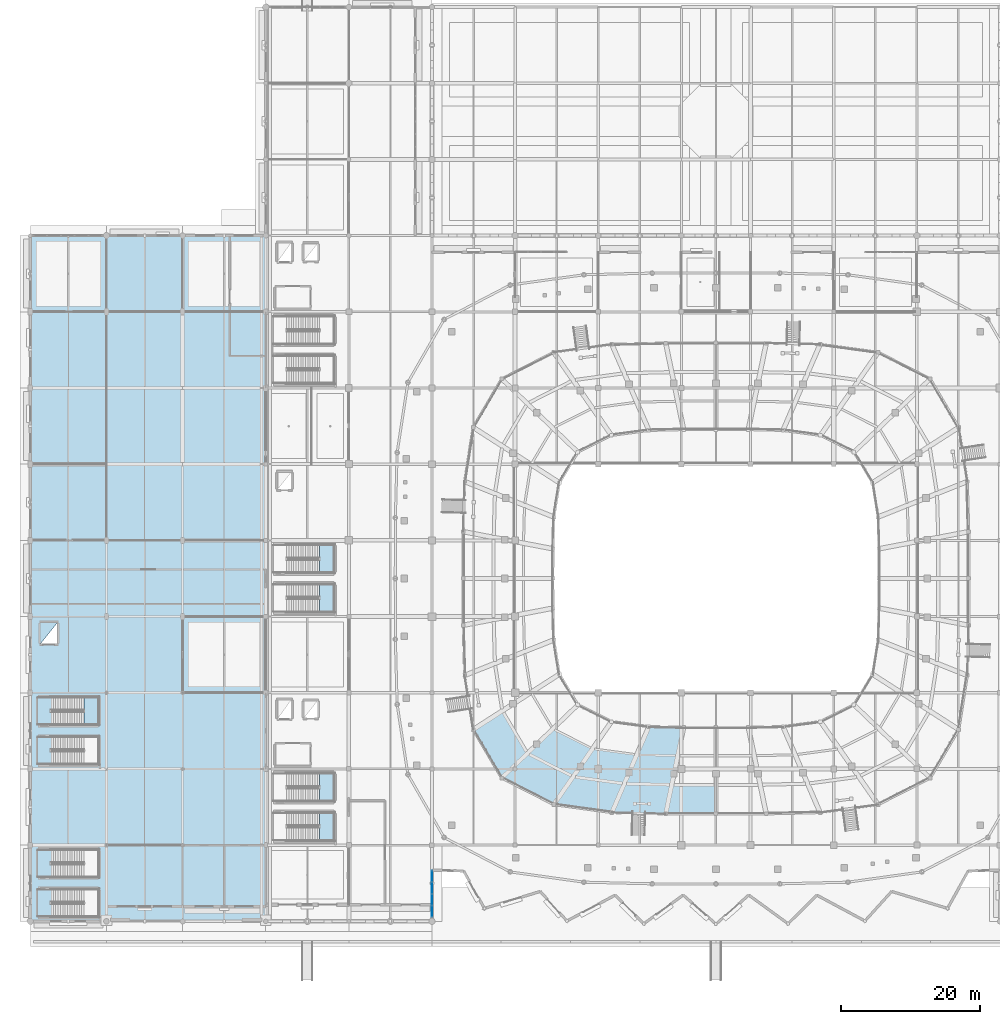
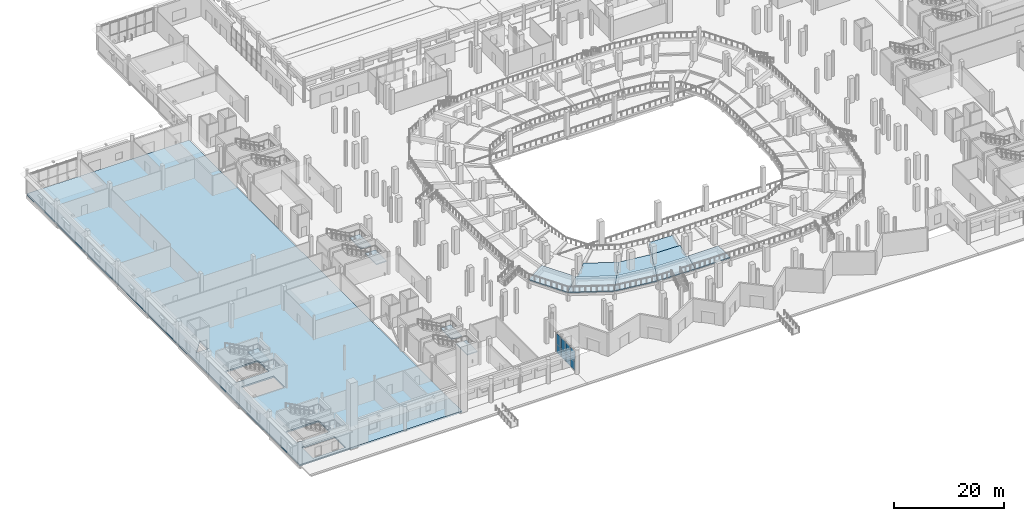
# One storey, part 43 of 120: 15 slabs, 8 plates, 6 elements without a shape of their own.
"""IFC4 building model written with IfcOpenShell, lengths in metres."""

import ifcopenshell
import ifcopenshell.guid

model = None  # the IFC model being written
_history = None  # IfcOwnerHistory: only IFC2X3 demands one
_inside = {}  # id of a spatial element -> (the spatial element, [elements in it])
_under = {}  # id of a project, library or spatial element -> (it, [spatial elements below it])
_declared = {}  # id of a project -> (the project, [libraries it declares])
_typed = {}  # id of a type object -> (the type object, [elements of that type])
_made_of = {}  # id of a material, layer set ... -> (it, [elements and type objects made of it])


def new_model(schema):
    """Start an empty IFC model of exactly this schema.

    Asked for "IFC4X3", IfcOpenShell would pick the latest addendum, in which some entities
    have other attributes; the version numbers below select the first issue.
    IFC2X3 requires an IfcOwnerHistory on every rooted entity: one is made here for all.
    """
    global model, _history
    if schema == "IFC4X3":
        model = ifcopenshell.file(schema_version=(4, 3, 0, 0))
    else:
        model = ifcopenshell.file(schema=schema)
    _inside.clear()
    _under.clear()
    _declared.clear()
    _typed.clear()
    _made_of.clear()
    _history = None
    if model.schema == "IFC2X3":
        org = make("IfcOrganization", Name="unknown")
        user = make(
            "IfcPersonAndOrganization",
            ThePerson=make("IfcPerson", FamilyName="unknown"),
            TheOrganization=org,
        )
        app = make(
            "IfcApplication",
            ApplicationDeveloper=org,
            Version="unknown",
            ApplicationFullName="unknown",
            ApplicationIdentifier="unknown",
        )
        _history = make(
            "IfcOwnerHistory",
            OwningUser=user,
            OwningApplication=app,
            ChangeAction="ADDED",
            CreationDate=0,
        )
    return model


def make(cls, **values):
    """One entity of the class cls with the attributes given. An attribute that is None is left unset."""
    return model.create_entity(
        cls, **{name: value for name, value in values.items() if value is not None}
    )


def rooted(cls, **values):
    """An entity with a GlobalId (a new one), such as an element, a storey or a relation."""
    return make(cls, GlobalId=ifcopenshell.guid.new(), OwnerHistory=_history, **values)


def si_unit(unit_type, name, prefix=None):
    """IfcSIUnit, for example si_unit("LENGTHUNIT", "METRE", prefix="MILLI")."""
    return make("IfcSIUnit", UnitType=unit_type, Prefix=prefix, Name=name)


def assignment(units):
    """IfcUnitAssignment: the units of a project."""
    return None if units is None else make("IfcUnitAssignment", Units=units)


def point(xyz):
    """IfcCartesianPoint."""
    return None if xyz is None else make("IfcCartesianPoint", Coordinates=xyz)


def direction(xyz):
    """IfcDirection."""
    return None if xyz is None else make("IfcDirection", DirectionRatios=xyz)


def frame(location, z_axis=None, x_axis=None):
    """IfcAxis2Placement3D, a coordinate frame: its origin and axes. An axis left out is left unset."""
    return make(
        "IfcAxis2Placement3D",
        Location=point(location),
        Axis=direction(z_axis),
        RefDirection=direction(x_axis),
    )


def frame_2d(location, x_axis=None):
    """IfcAxis2Placement2D, a coordinate frame in the plane: its origin and x axis."""
    return make(
        "IfcAxis2Placement2D", Location=point(location), RefDirection=direction(x_axis)
    )


def origin():
    """The frame at (0, 0, 0) with its axes left unset."""
    return frame((0.0, 0.0, 0.0))


def origin_2d():
    """The frame at (0, 0) in the plane with its x axis left unset."""
    return frame_2d((0.0, 0.0))


def place(relative_to, where):
    """IfcLocalPlacement: puts the frame where relative to a parent placement (None: the world)."""
    return make(
        "IfcLocalPlacement", PlacementRelTo=relative_to, RelativePlacement=where
    )


def context(
    kind, dimensions, precision=None, world=None, true_north=None, identifier=None
):
    """IfcGeometricRepresentationContext, for example the 3D "Model" context."""
    return make(
        "IfcGeometricRepresentationContext",
        ContextIdentifier=identifier,
        ContextType=kind,
        CoordinateSpaceDimension=dimensions,
        Precision=precision,
        WorldCoordinateSystem=world,
        TrueNorth=true_north,
    )


def subcontext(parent, identifier, kind, view, scale=None):
    """IfcGeometricRepresentationSubContext, for example "Body" below "Model"."""
    return make(
        "IfcGeometricRepresentationSubContext",
        ContextIdentifier=identifier,
        ContextType=kind,
        ParentContext=parent,
        TargetScale=scale,
        TargetView=view,
    )


def project(units=None, contexts=None):
    """IfcProject with its units and contexts."""
    return rooted(
        "IfcProject",
        Name="project",
        RepresentationContexts=contexts,
        UnitsInContext=assignment(units),
    )


def spatial(cls, under=None, at=None, **own):
    """A site, building, storey or space (cls), placed at a placement, below another one or the project."""
    s = rooted(cls, ObjectPlacement=at, **own)
    if under is not None:
        _under.setdefault(under.id(), (under, []))[1].append(s)
    return s


def polyline(points):
    """IfcPolyline through the points."""
    return make("IfcPolyline", Points=[point(p) for p in points])


def profile(cls, at=None, kind="AREA", **sizes):
    """A parametric profile (cls). Its sizes go by their IFC names, for example OverallWidth=200.0."""
    return make(cls, ProfileType=kind, Position=at, **sizes)


def rectangle(**sizes):
    """IfcRectangleProfileDef."""
    return profile("IfcRectangleProfileDef", **sizes)


def outline(outer, holes=None, kind="AREA"):
    """IfcArbitraryClosedProfileDef: a profile drawn as a closed curve; with holes, ...WithVoids."""
    if holes is None:
        return make("IfcArbitraryClosedProfileDef", ProfileType=kind, OuterCurve=outer)
    return make(
        "IfcArbitraryProfileDefWithVoids",
        ProfileType=kind,
        OuterCurve=outer,
        InnerCurves=holes,
    )


def extrude(swept, where, along, depth):
    """IfcExtrudedAreaSolid: the profile swept, set in the frame where, extruded along a direction by depth."""
    return make(
        "IfcExtrudedAreaSolid",
        SweptArea=swept,
        Position=where,
        ExtrudedDirection=direction(along),
        Depth=depth,
    )


def shape(context_of_items, identifier, shape_type, items):
    """IfcShapeRepresentation: the items that make up one representation, for example the "Body"."""
    return make(
        "IfcShapeRepresentation",
        ContextOfItems=context_of_items,
        RepresentationIdentifier=identifier,
        RepresentationType=shape_type,
        Items=items,
    )


def material(Name=None, Category=None):
    """IfcMaterial."""
    return make("IfcMaterial", Name=Name, Category=Category)


def layer(
    of_material, thickness, ventilated=None, Name=None, Category=None, Priority=None
):
    """IfcMaterialLayer: one layer of a wall or slab, of a material (None: an air gap)."""
    return make(
        "IfcMaterialLayer",
        Material=of_material,
        LayerThickness=thickness,
        IsVentilated=ventilated,
        Name=Name,
        Category=Category,
        Priority=Priority,
    )


def layer_set(layers, Name=None):
    """IfcMaterialLayerSet."""
    return make("IfcMaterialLayerSet", MaterialLayers=layers, LayerSetName=Name)


def made_of(thing, what):
    """Note that an element or type object is made of a material, layer set ...; save() writes the relation."""
    if what is not None:
        _made_of.setdefault(what.id(), (what, []))[1].append(thing)
    return thing


def type_object(cls, material=None, **own):
    """A type object (cls), such as IfcWallType, which elements share."""
    return made_of(rooted(cls, **own), material)


def element(
    cls,
    number,
    at=None,
    inside=None,
    cuts=None,
    type_object=None,
    material=None,
    context=None,
    identifier="Body",
    shape_type=None,
    held_by="IfcProductDefinitionShape",
    body=None,
    shapes=None,
    **own,
):
    """One element of the class cls, such as IfcWall. Its Tag is "e" and its number.

    at: its placement. inside: the storey or other place that contains it. cuts: it is an
    opening in that element (IfcRelVoidsElement). A single representation is given by context,
    identifier, shape_type and body (its items); several are given by shapes. held_by: the class
    of the entity that holds the representations. save() writes the other relations.
    """
    e = rooted(cls, Tag="e%d" % number, ObjectPlacement=at, **own)
    if body is not None:
        shapes = [shape(context, identifier, shape_type, body)]
    if shapes is not None:
        e.Representation = make(held_by, Representations=shapes)
    if inside is not None:
        _inside.setdefault(inside.id(), (inside, []))[1].append(e)
    if cuts is not None:
        rooted(
            "IfcRelVoidsElement", RelatingBuildingElement=cuts, RelatedOpeningElement=e
        )
    if type_object is not None:
        _typed.setdefault(type_object.id(), (type_object, []))[1].append(e)
    return made_of(e, material)


def aggregate(whole, parts):
    """IfcRelAggregates: a whole, such as a stair, and the parts it consists of."""
    return rooted("IfcRelAggregates", RelatingObject=whole, RelatedObjects=parts)


def save(model, path):
    """Write the relations noted so far, then the file.

    IfcRelAggregates (storeys below a building ...), IfcRelContainedInSpatialStructure (elements
    in a storey), IfcRelDefinesByType, IfcRelAssociatesMaterial and IfcRelDeclares: one each for
    every whole, place, type object, material and project.
    """
    for whole, parts in _under.values():
        aggregate(whole, parts)
    for where, things in _inside.values():
        rooted(
            "IfcRelContainedInSpatialStructure",
            RelatedElements=things,
            RelatingStructure=where,
        )
    for kind, things in _typed.values():
        rooted("IfcRelDefinesByType", RelatedObjects=things, RelatingType=kind)
    for what, things in _made_of.values():
        rooted("IfcRelAssociatesMaterial", RelatedObjects=things, RelatingMaterial=what)
    for by, libraries in _declared.values():
        rooted("IfcRelDeclares", RelatingContext=by, RelatedDefinitions=libraries)
    model.write(path)


model = new_model("IFC4")

# Units and contexts
model_context = context("Model", 3, precision=1e-05, world=origin(), true_north=direction((0.0, 1.0)))
body_context = subcontext(model_context, "Body", "Model", "MODEL_VIEW")
ifc_project = project(units=[si_unit("LENGTHUNIT", "METRE"), si_unit("AREAUNIT", "SQUARE_METRE"), si_unit("VOLUMEUNIT", "CUBIC_METRE"), si_unit("PLANEANGLEUNIT", "RADIAN"), si_unit("MASSUNIT", "GRAM", prefix="KILO")], contexts=[model_context])

# Site, building, storey
site_placement = place(None, origin())
site = spatial("IfcSite", under=ifc_project, at=site_placement, CompositionType="ELEMENT")
building_placement = place(site_placement, origin())
building = spatial("IfcBuilding", under=site, at=building_placement, Name="Luwafu Chhajja Arena", CompositionType="ELEMENT")
storey_placement = place(building_placement, origin())
storey = spatial("IfcBuildingStorey", under=building, at=storey_placement, Name="L00", CompositionType="ELEMENT", Elevation=0.0)

# Stair, slab
ifc_material_1 = material(Name="Concrete C35/45", Category="concrete")
stair_type_1 = type_object("IfcStairType", Name="Quadrant Protected Dog-Leg Stair 1920", PredefinedType="HALF_TURN_STAIR", material=ifc_material_1)
stair_1_placement = place(storey_placement, origin())
stair_1 = element("IfcStair", 1, at=stair_1_placement, inside=storey, type_object=stair_type_1, Name="L00 Protected Escape Stair ST-01", PredefinedType="HALF_TURN_STAIR")
ifc_layer_1 = layer(ifc_material_1, 0.199951171875, Name="Concrete C35/45")
ifc_layer_set_1 = layer_set([ifc_layer_1], Name="Concrete C35/45")
slab_type_1 = type_object("IfcSlabType", Name="Escape Stair Landing Slab 200", PredefinedType="LANDING", material=ifc_layer_set_1)
slab_1_placement = place(storey_placement, frame((0.0, 0.0, 2.5)))
slab_1 = element("IfcSlab", 2, at=slab_1_placement, type_object=slab_type_1, Name="ST-01 landing 1", PredefinedType="LANDING", context=body_context, shape_type="SweptSolid", body=[
    extrude(outline(polyline([(41.780029296875, 11.64990234375), (43.89990234375, 11.64990234375), (43.89990234375, 15.68994140625), (41.780029296875, 15.68994140625), (41.780029296875, 11.64990234375)])), origin(), (0.0, 0.0, 1.0), 0.199951171875),
])
aggregate(stair_1, [slab_1])

stair_2_placement = place(storey_placement, origin())
stair_2 = element("IfcStair", 3, at=stair_2_placement, inside=storey, type_object=stair_type_1, Name="L00 Protected Escape Stair ST-02", PredefinedType="HALF_TURN_STAIR")
slab_2_placement = place(storey_placement, frame((0.0, 0.0, 2.5)))
slab_2 = element("IfcSlab", 4, at=slab_2_placement, type_object=slab_type_1, Name="ST-02 landing 1", PredefinedType="LANDING", context=body_context, shape_type="SweptSolid", body=[
    extrude(outline(polyline([(41.780029296875, 17.31005859375), (43.89990234375, 17.31005859375), (43.89990234375, 21.35009765625), (41.780029296875, 21.35009765625), (41.780029296875, 17.31005859375)])), origin(), (0.0, 0.0, 1.0), 0.199951171875),
])
aggregate(stair_2, [slab_2])

stair_3_placement = place(storey_placement, origin())
stair_3 = element("IfcStair", 5, at=stair_3_placement, inside=storey, type_object=stair_type_1, Name="L00 Protected Escape Stair ST-09", PredefinedType="HALF_TURN_STAIR")
slab_3_placement = place(storey_placement, frame((0.0, 0.0, 2.5)))
slab_3 = element("IfcSlab", 6, at=slab_3_placement, type_object=slab_type_1, Name="ST-09 landing 1", PredefinedType="LANDING", context=body_context, shape_type="SweptSolid", body=[
    extrude(outline(polyline([(41.780029296875, 44.64990234375), (43.89990234375, 44.64990234375), (43.89990234375, 48.68994140625), (41.780029296875, 48.68994140625), (41.780029296875, 44.64990234375)])), origin(), (0.0, 0.0, 1.0), 0.199951171875),
])
aggregate(stair_3, [slab_3])

stair_4_placement = place(storey_placement, origin())
stair_4 = element("IfcStair", 7, at=stair_4_placement, inside=storey, type_object=stair_type_1, Name="L00 Protected Escape Stair ST-10", PredefinedType="HALF_TURN_STAIR")
slab_4_placement = place(storey_placement, frame((0.0, 0.0, 2.5)))
slab_4 = element("IfcSlab", 8, at=slab_4_placement, type_object=slab_type_1, Name="ST-10 landing 1", PredefinedType="LANDING", context=body_context, shape_type="SweptSolid", body=[
    extrude(outline(polyline([(41.780029296875, 50.31005859375), (43.89990234375, 50.31005859375), (43.89990234375, 54.35009765625), (41.780029296875, 54.35009765625), (41.780029296875, 50.31005859375)])), origin(), (0.0, 0.0, 1.0), 0.199951171875),
])
aggregate(stair_4, [slab_4])

stair_type_2 = type_object("IfcStairType", Name="Wing Protected Dog-Leg Stair 1900", PredefinedType="HALF_TURN_STAIR", material=ifc_material_1)
stair_5_placement = place(storey_placement, origin())
stair_5 = element("IfcStair", 9, at=stair_5_placement, inside=storey, type_object=stair_type_2, Name="L00 Protected Escape Stair ST-14", PredefinedType="HALF_TURN_STAIR")
slab_5_placement = place(storey_placement, frame((0.0, 0.0, 2.5)))
slab_5 = element("IfcSlab", 10, at=slab_5_placement, type_object=slab_type_1, Name="ST-14 landing 1", PredefinedType="LANDING", context=body_context, shape_type="SweptSolid", body=[
    extrude(outline(polyline([(7.760009765625, 28.35009765625), (9.89990234375, 28.35009765625), (9.89990234375, 32.35009765625), (7.760009765625, 32.35009765625), (7.760009765625, 28.35009765625)])), origin(), (0.0, 0.0, 1.0), 0.199951171875),
])
aggregate(stair_5, [slab_5])

# Slabs
ifc_layer_2 = layer(ifc_material_1, 0.340087890625, Name="Concrete C35/45")
ifc_layer_set_2 = layer_set([ifc_layer_2], Name="Concrete C35/45")
slab_type_2 = type_object("IfcSlabType", Name="Main Concourse Suspended Slab 340", PredefinedType="FLOOR", material=ifc_layer_set_2)
slab_6_placement = place(storey_placement, frame((0.0, 0.0, -0.340087890625)))
element("IfcSlab", 11, at=slab_6_placement, inside=storey, type_object=slab_type_2, Name="L00 Structural Floor Slab 3", PredefinedType="FLOOR", context=body_context, shape_type="SweptSolid", body=[
    extrude(outline(polyline([(0.0, 0.0), (0.0, 99.0), (33.949951171875, 99.0), (33.949951171875, 0.0), (0.0, 0.0)]), holes=[polyline([(9.89990234375, 26.64990234375), (3.044921875, 26.64990234375), (3.044921875, 22.64990234375), (9.89990234375, 22.64990234375), (9.89990234375, 26.64990234375)]), polyline([(9.89990234375, 4.64990234375), (3.044921875, 4.64990234375), (3.044921875, 0.64990234375), (9.89990234375, 0.64990234375), (9.89990234375, 4.64990234375)]), polyline([(9.89990234375, 28.35009765625), (9.89990234375, 32.35009765625), (3.044921875, 32.35009765625), (3.044921875, 28.35009765625), (9.89990234375, 28.35009765625)]), polyline([(9.89990234375, 6.35009765625), (9.89990234375, 10.35009765625), (3.044921875, 10.35009765625), (3.044921875, 6.35009765625), (9.89990234375, 6.35009765625)]), polyline([(3.919921875, 40.080078125), (3.919921875, 43.1201171875), (1.47998046875, 40.080078125), (3.919921875, 40.080078125)])]), origin(), (0.0, 0.0, 1.0), 0.340087890625),
])
ifc_material_2 = material(Name="Precast concrete C40/50", Category="concrete")
ifc_layer_3 = layer(ifc_material_2, 0.219970703125, Name="Precast concrete C40/50")
ifc_layer_set_3 = layer_set([ifc_layer_3], Name="Precast concrete C40/50")
slab_type_3 = type_object("IfcSlabType", Name="Precast Lower Seating Tier Slab 220", PredefinedType="USERDEFINED", material=ifc_layer_set_3)
slab_7_placement = place(storey_placement, frame((0.0, 0.0, 1.6298828125)))
element("IfcSlab", 12, at=slab_7_placement, inside=storey, type_object=slab_type_3, Name="Stand Lower Tier Sector 20 Row Band 3", ObjectType="SEATING TIER", PredefinedType="USERDEFINED", context=body_context, shape_type="SweptSolid", body=[
    extrude(outline(polyline([(68.16455078125, 30.372802734375), (71.78369140625, 24.233642578125), (68.052978515625, 20.672607421875), (63.93798828125, 27.677001953125), (68.16455078125, 30.372802734375)])), origin(), (0.0, 0.0, 1.0), 0.22021484375),
])
slab_8_placement = place(storey_placement, frame((0.0, 0.0, 1.1298828125)))
element("IfcSlab", 13, at=slab_8_placement, inside=storey, type_object=slab_type_3, Name="Stand Lower Tier Sector 21 Row Band 2", ObjectType="SEATING TIER", PredefinedType="USERDEFINED", context=body_context, shape_type="SweptSolid", body=[
    extrude(outline(polyline([(75.429443359375, 27.794677734375), (81.156494140625, 24.908447265625), (78.396484375, 20.873779296875), (71.78369140625, 24.233642578125), (75.429443359375, 27.794677734375)])), origin(), (0.0, 0.0, 1.0), 0.22021484375),
])
slab_9_placement = place(storey_placement, frame((0.0, 0.0, 1.6298828125)))
element("IfcSlab", 14, at=slab_9_placement, inside=storey, type_object=slab_type_3, Name="Stand Lower Tier Sector 21 Row Band 3", ObjectType="SEATING TIER", PredefinedType="USERDEFINED", context=body_context, shape_type="SweptSolid", body=[
    extrude(outline(polyline([(71.78369140625, 24.233642578125), (78.396484375, 20.873779296875), (75.572265625, 16.83935546875), (68.052978515625, 20.672607421875), (71.78369140625, 24.233642578125)])), origin(), (0.0, 0.0, 1.0), 0.22021484375),
])
slab_10_placement = place(storey_placement, frame((0.0, 0.0, 1.1298828125)))
element("IfcSlab", 15, at=slab_10_placement, inside=storey, type_object=slab_type_3, Name="Stand Lower Tier Sector 22 Row Band 2", ObjectType="SEATING TIER", PredefinedType="USERDEFINED", context=body_context, shape_type="SweptSolid", body=[
    extrude(outline(polyline([(81.156494140625, 24.908447265625), (87.551513671875, 24.048095703125), (85.78076171875, 19.87255859375), (78.396484375, 20.873779296875), (81.156494140625, 24.908447265625)])), origin(), (0.0, 0.0, 1.0), 0.22021484375),
])
slab_11_placement = place(storey_placement, frame((0.0, 0.0, 1.6298828125)))
element("IfcSlab", 16, at=slab_11_placement, inside=storey, type_object=slab_type_3, Name="Stand Lower Tier Sector 22 Row Band 3", ObjectType="SEATING TIER", PredefinedType="USERDEFINED", context=body_context, shape_type="SweptSolid", body=[
    extrude(outline(polyline([(78.396484375, 20.873779296875), (85.78076171875, 19.87255859375), (83.96875, 15.69677734375), (75.572265625, 16.83935546875), (78.396484375, 20.873779296875)])), origin(), (0.0, 0.0, 1.0), 0.22021484375),
])
slab_12_placement = place(storey_placement, frame((0.0, 0.0, 0.6298828125)))
element("IfcSlab", 17, at=slab_12_placement, inside=storey, type_object=slab_type_3, Name="Stand Lower Tier Sector 23 Row Band 1", ObjectType="SEATING TIER", PredefinedType="USERDEFINED", context=body_context, shape_type="SweptSolid", body=[
    extrude(outline(polyline([(89.322265625, 28.12451171875), (94.326904296875, 28.005859375), (93.4716796875, 23.906982421875), (87.551513671875, 24.048095703125), (89.322265625, 28.12451171875)])), origin(), (0.0, 0.0, 1.0), 0.22021484375),
])
slab_13_placement = place(storey_placement, frame((0.0, 0.0, 1.1298828125)))
element("IfcSlab", 18, at=slab_13_placement, inside=storey, type_object=slab_type_3, Name="Stand Lower Tier Sector 23 Row Band 2", ObjectType="SEATING TIER", PredefinedType="USERDEFINED", context=body_context, shape_type="SweptSolid", body=[
    extrude(outline(polyline([(87.551513671875, 24.048095703125), (93.4716796875, 23.906982421875), (92.61669921875, 19.7080078125), (85.78076171875, 19.87255859375), (87.551513671875, 24.048095703125)])), origin(), (0.0, 0.0, 1.0), 0.22021484375),
])
slab_14_placement = place(storey_placement, frame((0.0, 0.0, 1.6298828125)))
element("IfcSlab", 19, at=slab_14_placement, inside=storey, type_object=slab_type_3, Name="Stand Lower Tier Sector 23 Row Band 3", ObjectType="SEATING TIER", PredefinedType="USERDEFINED", context=body_context, shape_type="SweptSolid", body=[
    extrude(outline(polyline([(85.78076171875, 19.87255859375), (92.61669921875, 19.7080078125), (91.74169921875, 15.50927734375), (83.96875, 15.69677734375), (85.78076171875, 19.87255859375)])), origin(), (0.0, 0.0, 1.0), 0.22021484375),
])
slab_15_placement = place(storey_placement, frame((0.0, 0.0, 1.6298828125)))
element("IfcSlab", 20, at=slab_15_placement, inside=storey, type_object=slab_type_3, Name="Stand Lower Tier Sector 24 Row Band 3", ObjectType="SEATING TIER", PredefinedType="USERDEFINED", context=body_context, shape_type="SweptSolid", body=[
    extrude(outline(polyline([(92.61669921875, 19.7080078125), (99.0, 19.699951171875), (99.0, 15.5), (91.74169921875, 15.50927734375), (92.61669921875, 19.7080078125)])), origin(), (0.0, 0.0, 1.0), 0.22021484375),
])

# Curtain wall, plates
ifc_material_3 = material(Name="Anodised bronze aluminium", Category="aluminium")
curtain_wall_type = type_object("IfcCurtainWallType", Name="Pavilion Cafe Glazed Curtain Wall", PredefinedType="USERDEFINED", material=ifc_material_3)
curtain_wall_placement = place(storey_placement, origin())
curtain_wall = element("IfcCurtainWall", 21, at=curtain_wall_placement, inside=storey, type_object=curtain_wall_type, Name="L00 Curtain Wall CWG-L00-V05_00", ObjectType="CURTAIN WALL", PredefinedType="USERDEFINED")
ifc_material_4 = material(Name="Solar-control laminated glass", Category="glass")
ifc_layer_4 = layer(ifc_material_4, 0.028076171875, Name="Solar-control laminated glass")
ifc_layer_set_4 = layer_set([ifc_layer_4], Name="Solar-control laminated glass")
plate_type = type_object("IfcPlateType", Name="Solar Control Double Glazed CW Panel 28", PredefinedType="CURTAIN_PANEL", material=ifc_layer_set_4)
plate_1_placement = place(storey_placement, frame((58.0, 1.450927734375, 0.094970703125), z_axis=(0.0, 0.0, 1.0), x_axis=(0.0, 1.0, 0.0)))
plate_1 = element("IfcPlate", 22, at=plate_1_placement, type_object=plate_type, Name="CW-07 panel 1.1", PredefinedType="CURTAIN_PANEL", context=body_context, shape_type="SweptSolid", body=[
    extrude(rectangle(XDim=1.592041015625, YDim=0.028076171875, at=origin_2d()), origin(), (0.0, 0.0, 1.0), 1.875),
])
plate_2_placement = place(storey_placement, frame((58.0, 1.450927734375, 2.034912109375), z_axis=(0.0, 0.0, 1.0), x_axis=(0.0, 1.0, 0.0)))
plate_2 = element("IfcPlate", 23, at=plate_2_placement, type_object=plate_type, Name="CW-07 panel 1.2", PredefinedType="CURTAIN_PANEL", context=body_context, shape_type="SweptSolid", body=[
    extrude(rectangle(XDim=1.592041015625, YDim=0.028076171875, at=origin_2d()), origin(), (0.0, 0.0, 1.0), 2.35009765625),
])
plate_3_placement = place(storey_placement, frame((58.0, 3.124267578125, 0.094970703125), z_axis=(0.0, 0.0, 1.0), x_axis=(0.0, 1.0, 0.0)))
plate_3 = element("IfcPlate", 24, at=plate_3_placement, type_object=plate_type, Name="CW-07 panel 2.1", PredefinedType="CURTAIN_PANEL", context=body_context, shape_type="SweptSolid", body=[
    extrude(rectangle(XDim=1.62451171875, YDim=0.028076171875, at=origin_2d()), origin(), (0.0, 0.0, 1.0), 1.875),
])
plate_4_placement = place(storey_placement, frame((58.0, 3.124267578125, 2.034912109375), z_axis=(0.0, 0.0, 1.0), x_axis=(0.0, 1.0, 0.0)))
plate_4 = element("IfcPlate", 25, at=plate_4_placement, type_object=plate_type, Name="CW-07 panel 2.2", PredefinedType="CURTAIN_PANEL", context=body_context, shape_type="SweptSolid", body=[
    extrude(rectangle(XDim=1.62451171875, YDim=0.028076171875, at=origin_2d()), origin(), (0.0, 0.0, 1.0), 2.35009765625),
])
plate_5_placement = place(storey_placement, frame((58.0, 4.81396484375, 0.094970703125), z_axis=(0.0, 0.0, 1.0), x_axis=(0.0, 1.0, 0.0)))
plate_5 = element("IfcPlate", 26, at=plate_5_placement, type_object=plate_type, Name="CW-07 panel 3.1", PredefinedType="CURTAIN_PANEL", context=body_context, shape_type="SweptSolid", body=[
    extrude(rectangle(XDim=1.62451171875, YDim=0.028076171875, at=origin_2d()), origin(), (0.0, 0.0, 1.0), 1.875),
])
plate_6_placement = place(storey_placement, frame((58.0, 4.81396484375, 2.034912109375), z_axis=(0.0, 0.0, 1.0), x_axis=(0.0, 1.0, 0.0)))
plate_6 = element("IfcPlate", 27, at=plate_6_placement, type_object=plate_type, Name="CW-07 panel 3.2", PredefinedType="CURTAIN_PANEL", context=body_context, shape_type="SweptSolid", body=[
    extrude(rectangle(XDim=1.62451171875, YDim=0.028076171875, at=origin_2d()), origin(), (0.0, 0.0, 1.0), 2.35009765625),
])
plate_7_placement = place(storey_placement, frame((58.0, 6.4873046875, 0.094970703125), z_axis=(0.0, 0.0, 1.0), x_axis=(0.0, 1.0, 0.0)))
plate_7 = element("IfcPlate", 28, at=plate_7_placement, type_object=plate_type, Name="CW-07 panel 4.1", PredefinedType="CURTAIN_PANEL", context=body_context, shape_type="SweptSolid", body=[
    extrude(rectangle(XDim=1.592041015625, YDim=0.028076171875, at=origin_2d()), origin(), (0.0, 0.0, 1.0), 1.875),
])
plate_8_placement = place(storey_placement, frame((58.0, 6.4873046875, 2.034912109375), z_axis=(0.0, 0.0, 1.0), x_axis=(0.0, 1.0, 0.0)))
plate_8 = element("IfcPlate", 29, at=plate_8_placement, type_object=plate_type, Name="CW-07 panel 4.2", PredefinedType="CURTAIN_PANEL", context=body_context, shape_type="SweptSolid", body=[
    extrude(rectangle(XDim=1.592041015625, YDim=0.028076171875, at=origin_2d()), origin(), (0.0, 0.0, 1.0), 2.35009765625),
])
aggregate(curtain_wall, [plate_1, plate_2, plate_3, plate_4, plate_5, plate_6, plate_7, plate_8])

save(model, "model.ifc")
